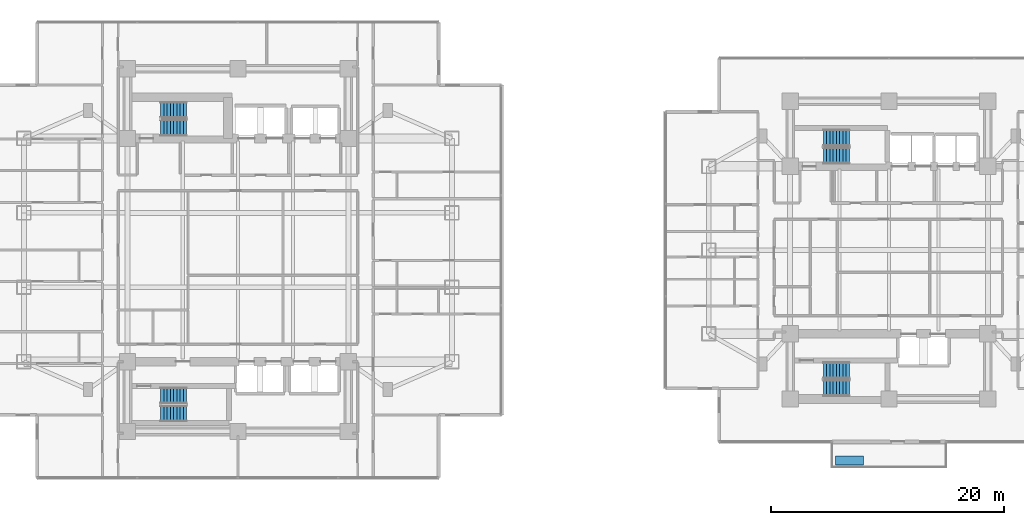
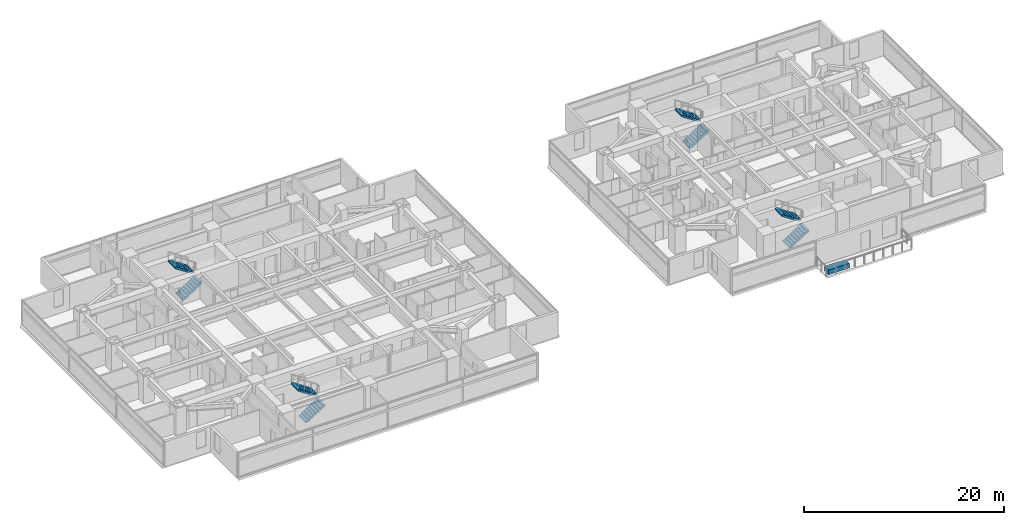
# One storey, part 21 of 27: 8 stair flights, 1 discrete accessory, 4 elements without a shape of their own.
"""IFC4 building model written with IfcOpenShell, lengths in metres."""

from ifc_helpers import new_model, si_unit, direction, frame, origin, origin_2d, place, context, subcontext, project, spatial, polyline, rectangle, outline, extrude, material, type_object, element, aggregate, save


model = new_model("IFC4")

# Units and contexts
model_context = context("Model", 3, precision=1e-05, world=origin(), true_north=direction((0.0, 1.0)))
body_context = subcontext(model_context, "Body", "Model", "MODEL_VIEW")
ifc_project = project(units=[si_unit("LENGTHUNIT", "METRE"), si_unit("AREAUNIT", "SQUARE_METRE"), si_unit("VOLUMEUNIT", "CUBIC_METRE"), si_unit("PLANEANGLEUNIT", "RADIAN"), si_unit("MASSUNIT", "GRAM", prefix="KILO")], contexts=[model_context])

# Site, building, storey
site_placement = place(None, origin())
site = spatial("IfcSite", under=ifc_project, at=site_placement, CompositionType="ELEMENT")
building_placement = place(site_placement, origin())
building = spatial("IfcBuilding", under=site, at=building_placement, Name="Mirazonda Arch Towers", CompositionType="ELEMENT")
storey_placement = place(building_placement, frame((0.0, 0.0, 42.199951171875)))
storey = spatial("IfcBuildingStorey", under=building, at=storey_placement, Name="L11", CompositionType="ELEMENT", Elevation=42.199951171875)

# Stair, stair flights
ifc_material_1 = material(Name="Concrete C40/50", Category="concrete")
stair_type = type_object("IfcStairType", Name="STAIR-CORE-1400", PredefinedType="HALF_TURN_STAIR", material=ifc_material_1)
stair_1_placement = place(storey_placement, origin())
stair_1 = element("IfcStair", 1, at=stair_1_placement, inside=storey, type_object=stair_type, Name="L11 Protected Exit Stair ST-T1N", PredefinedType="HALF_TURN_STAIR")
stair_flight_type = type_object("IfcStairFlightType", Name="FLIGHT-1400", PredefinedType="STRAIGHT", material=ifc_material_1)
stair_flight_1_placement = place(storey_placement, frame((13.85009765625, 38.52001953125, 0.0), z_axis=(0.0, 0.0, 1.0), x_axis=(1.0, 0.0, 0.0)))
stair_flight_1 = element("IfcStairFlight", 2, at=stair_flight_1_placement, type_object=stair_flight_type, Name="ST-T1N flight 1", NumberOfRisers=9, NumberOfTreads=8, PredefinedType="STRAIGHT", RiserHeight=0.183333333, TreadLength=0.28, context=body_context, shape_type="SweptSolid", body=[
    extrude(outline(polyline([(0.0, 0.0), (0.0, 0.183349609375), (0.280029296875, 0.183349609375), (0.280029296875, 0.36669921875), (0.56005859375, 0.36669921875), (0.56005859375, 0.550048828125), (0.840087890625, 0.550048828125), (0.840087890625, 0.7333984375), (1.1201171875, 0.7333984375), (1.1201171875, 0.916748046875), (1.39990234375, 0.916748046875), (1.39990234375, 1.10009765625), (1.679931640625, 1.10009765625), (1.679931640625, 1.283447265625), (1.9599609375, 1.283447265625), (1.9599609375, 1.466552734375), (2.239990234375, 1.466552734375), (2.239990234375, 1.64990234375), (2.239990234375, 1.275634765625), (0.2919921875, 0.0), (0.0, 0.0)])), frame((0.0, 0.699951171875, 0.0), z_axis=(0.0, -1.0, 0.0), x_axis=(1.0, 0.0, 0.0)), (0.0, 0.0, 1.0), 1.39990234375),
])
stair_flight_2_placement = place(storey_placement, frame((16.090087890625, 40.06005859375, 1.650146484375), z_axis=(0.0, 0.0, 1.0), x_axis=(-1.0, 0.0, 0.0)))
stair_flight_2 = element("IfcStairFlight", 3, at=stair_flight_2_placement, type_object=stair_flight_type, Name="ST-T1N flight 2", NumberOfRisers=9, NumberOfTreads=8, PredefinedType="STRAIGHT", RiserHeight=0.183333333, TreadLength=0.28, context=body_context, shape_type="SweptSolid", body=[
    extrude(outline(polyline([(0.0, 0.0), (0.0, 0.183349609375), (0.280029296875, 0.183349609375), (0.280029296875, 0.36669921875), (0.56005859375, 0.36669921875), (0.56005859375, 0.550048828125), (0.840087890625, 0.550048828125), (0.840087890625, 0.7333984375), (1.1201171875, 0.7333984375), (1.1201171875, 0.916748046875), (1.39990234375, 0.916748046875), (1.39990234375, 1.10009765625), (1.679931640625, 1.10009765625), (1.679931640625, 1.283447265625), (1.9599609375, 1.283447265625), (1.9599609375, 1.466552734375), (2.239990234375, 1.466552734375), (2.239990234375, 1.64990234375), (2.239990234375, 1.275634765625), (0.2919921875, 0.0), (0.0, 0.0)])), frame((0.0, 0.699951171875, 0.0), z_axis=(0.0, -1.0, 0.0), x_axis=(1.0, 0.0, 0.0)), (0.0, 0.0, 1.0), 1.39990234375),
])
aggregate(stair_1, [stair_flight_1, stair_flight_2])

stair_2_placement = place(storey_placement, origin())
stair_2 = element("IfcStair", 4, at=stair_2_placement, inside=storey, type_object=stair_type, Name="L11 Protected Exit Stair ST-T1S", PredefinedType="HALF_TURN_STAIR")
stair_flight_3_placement = place(storey_placement, frame((13.85009765625, 13.949951171875, 0.0), z_axis=(0.0, 0.0, 1.0), x_axis=(1.0, 0.0, 0.0)))
stair_flight_3 = element("IfcStairFlight", 5, at=stair_flight_3_placement, type_object=stair_flight_type, Name="ST-T1S flight 1", NumberOfRisers=9, NumberOfTreads=8, PredefinedType="STRAIGHT", RiserHeight=0.183333333, TreadLength=0.28, context=body_context, shape_type="SweptSolid", body=[
    extrude(outline(polyline([(0.0, 0.0), (0.0, 0.183349609375), (0.280029296875, 0.183349609375), (0.280029296875, 0.36669921875), (0.56005859375, 0.36669921875), (0.56005859375, 0.550048828125), (0.840087890625, 0.550048828125), (0.840087890625, 0.7333984375), (1.1201171875, 0.7333984375), (1.1201171875, 0.916748046875), (1.39990234375, 0.916748046875), (1.39990234375, 1.10009765625), (1.679931640625, 1.10009765625), (1.679931640625, 1.283447265625), (1.9599609375, 1.283447265625), (1.9599609375, 1.466552734375), (2.239990234375, 1.466552734375), (2.239990234375, 1.64990234375), (2.239990234375, 1.275634765625), (0.2919921875, 0.0), (0.0, 0.0)])), frame((0.0, 0.699951171875, 0.0), z_axis=(0.0, -1.0, 0.0), x_axis=(1.0, 0.0, 0.0)), (0.0, 0.0, 1.0), 1.39990234375),
])
stair_flight_4_placement = place(storey_placement, frame((16.090087890625, 15.489990234375, 1.650146484375), z_axis=(0.0, 0.0, 1.0), x_axis=(-1.0, 0.0, 0.0)))
stair_flight_4 = element("IfcStairFlight", 6, at=stair_flight_4_placement, type_object=stair_flight_type, Name="ST-T1S flight 2", NumberOfRisers=9, NumberOfTreads=8, PredefinedType="STRAIGHT", RiserHeight=0.183333333, TreadLength=0.28, context=body_context, shape_type="SweptSolid", body=[
    extrude(outline(polyline([(0.0, 0.0), (0.0, 0.183349609375), (0.280029296875, 0.183349609375), (0.280029296875, 0.36669921875), (0.56005859375, 0.36669921875), (0.56005859375, 0.550048828125), (0.840087890625, 0.550048828125), (0.840087890625, 0.7333984375), (1.1201171875, 0.7333984375), (1.1201171875, 0.916748046875), (1.39990234375, 0.916748046875), (1.39990234375, 1.10009765625), (1.679931640625, 1.10009765625), (1.679931640625, 1.283447265625), (1.9599609375, 1.283447265625), (1.9599609375, 1.466552734375), (2.239990234375, 1.466552734375), (2.239990234375, 1.64990234375), (2.239990234375, 1.275634765625), (0.2919921875, 0.0), (0.0, 0.0)])), frame((0.0, 0.699951171875, 0.0), z_axis=(0.0, -1.0, 0.0), x_axis=(1.0, 0.0, 0.0)), (0.0, 0.0, 1.0), 1.39990234375),
])
aggregate(stair_2, [stair_flight_3, stair_flight_4])

stair_3_placement = place(storey_placement, origin())
stair_3 = element("IfcStair", 7, at=stair_3_placement, inside=storey, type_object=stair_type, Name="L11 Protected Exit Stair ST-T2N", PredefinedType="HALF_TURN_STAIR")
stair_flight_5_placement = place(storey_placement, frame((70.85009765625, 36.1201171875, 0.0), z_axis=(0.0, 0.0, 1.0), x_axis=(1.0, 0.0, 0.0)))
stair_flight_5 = element("IfcStairFlight", 8, at=stair_flight_5_placement, type_object=stair_flight_type, Name="ST-T2N flight 1", NumberOfRisers=9, NumberOfTreads=8, PredefinedType="STRAIGHT", RiserHeight=0.183333333, TreadLength=0.28, context=body_context, shape_type="SweptSolid", body=[
    extrude(outline(polyline([(0.0, 0.0), (0.0, 0.183349609375), (0.280029296875, 0.183349609375), (0.280029296875, 0.36669921875), (0.56005859375, 0.36669921875), (0.56005859375, 0.550048828125), (0.840087890625, 0.550048828125), (0.840087890625, 0.7333984375), (1.1201171875, 0.7333984375), (1.1201171875, 0.916748046875), (1.39990234375, 0.916748046875), (1.39990234375, 1.10009765625), (1.679931640625, 1.10009765625), (1.679931640625, 1.283447265625), (1.9599609375, 1.283447265625), (1.9599609375, 1.466552734375), (2.239990234375, 1.466552734375), (2.239990234375, 1.64990234375), (2.239990234375, 1.275634765625), (0.2919921875, 0.0), (0.0, 0.0)])), frame((0.0, 0.699951171875, 0.0), z_axis=(0.0, -1.0, 0.0), x_axis=(1.0, 0.0, 0.0)), (0.0, 0.0, 1.0), 1.39990234375),
])
stair_flight_6_placement = place(storey_placement, frame((73.090087890625, 37.659912109375, 1.650146484375), z_axis=(0.0, 0.0, 1.0), x_axis=(-1.0, 0.0, 0.0)))
stair_flight_6 = element("IfcStairFlight", 9, at=stair_flight_6_placement, type_object=stair_flight_type, Name="ST-T2N flight 2", NumberOfRisers=9, NumberOfTreads=8, PredefinedType="STRAIGHT", RiserHeight=0.183333333, TreadLength=0.28, context=body_context, shape_type="SweptSolid", body=[
    extrude(outline(polyline([(0.0, 0.0), (0.0, 0.183349609375), (0.280029296875, 0.183349609375), (0.280029296875, 0.36669921875), (0.56005859375, 0.36669921875), (0.56005859375, 0.550048828125), (0.840087890625, 0.550048828125), (0.840087890625, 0.7333984375), (1.1201171875, 0.7333984375), (1.1201171875, 0.916748046875), (1.39990234375, 0.916748046875), (1.39990234375, 1.10009765625), (1.679931640625, 1.10009765625), (1.679931640625, 1.283447265625), (1.9599609375, 1.283447265625), (1.9599609375, 1.466552734375), (2.239990234375, 1.466552734375), (2.239990234375, 1.64990234375), (2.239990234375, 1.275634765625), (0.2919921875, 0.0), (0.0, 0.0)])), frame((0.0, 0.699951171875, 0.0), z_axis=(0.0, -1.0, 0.0), x_axis=(1.0, 0.0, 0.0)), (0.0, 0.0, 1.0), 1.39990234375),
])
aggregate(stair_3, [stair_flight_5, stair_flight_6])

stair_4_placement = place(storey_placement, origin())
stair_4 = element("IfcStair", 10, at=stair_4_placement, inside=storey, type_object=stair_type, Name="L11 Protected Exit Stair ST-T2S", PredefinedType="HALF_TURN_STAIR")
stair_flight_7_placement = place(storey_placement, frame((70.85009765625, 16.1201171875, 0.0), z_axis=(0.0, 0.0, 1.0), x_axis=(1.0, 0.0, 0.0)))
stair_flight_7 = element("IfcStairFlight", 11, at=stair_flight_7_placement, type_object=stair_flight_type, Name="ST-T2S flight 1", NumberOfRisers=9, NumberOfTreads=8, PredefinedType="STRAIGHT", RiserHeight=0.183333333, TreadLength=0.28, context=body_context, shape_type="SweptSolid", body=[
    extrude(outline(polyline([(0.0, 0.0), (0.0, 0.183349609375), (0.280029296875, 0.183349609375), (0.280029296875, 0.36669921875), (0.56005859375, 0.36669921875), (0.56005859375, 0.550048828125), (0.840087890625, 0.550048828125), (0.840087890625, 0.7333984375), (1.1201171875, 0.7333984375), (1.1201171875, 0.916748046875), (1.39990234375, 0.916748046875), (1.39990234375, 1.10009765625), (1.679931640625, 1.10009765625), (1.679931640625, 1.283447265625), (1.9599609375, 1.283447265625), (1.9599609375, 1.466552734375), (2.239990234375, 1.466552734375), (2.239990234375, 1.64990234375), (2.239990234375, 1.275634765625), (0.2919921875, 0.0), (0.0, 0.0)])), frame((0.0, 0.699951171875, 0.0), z_axis=(0.0, -1.0, 0.0), x_axis=(1.0, 0.0, 0.0)), (0.0, 0.0, 1.0), 1.39990234375),
])
stair_flight_8_placement = place(storey_placement, frame((73.090087890625, 17.659912109375, 1.650146484375), z_axis=(0.0, 0.0, 1.0), x_axis=(-1.0, 0.0, 0.0)))
stair_flight_8 = element("IfcStairFlight", 12, at=stair_flight_8_placement, type_object=stair_flight_type, Name="ST-T2S flight 2", NumberOfRisers=9, NumberOfTreads=8, PredefinedType="STRAIGHT", RiserHeight=0.183333333, TreadLength=0.28, context=body_context, shape_type="SweptSolid", body=[
    extrude(outline(polyline([(0.0, 0.0), (0.0, 0.183349609375), (0.280029296875, 0.183349609375), (0.280029296875, 0.36669921875), (0.56005859375, 0.36669921875), (0.56005859375, 0.550048828125), (0.840087890625, 0.550048828125), (0.840087890625, 0.7333984375), (1.1201171875, 0.7333984375), (1.1201171875, 0.916748046875), (1.39990234375, 0.916748046875), (1.39990234375, 1.10009765625), (1.679931640625, 1.10009765625), (1.679931640625, 1.283447265625), (1.9599609375, 1.283447265625), (1.9599609375, 1.466552734375), (2.239990234375, 1.466552734375), (2.239990234375, 1.64990234375), (2.239990234375, 1.275634765625), (0.2919921875, 0.0), (0.0, 0.0)])), frame((0.0, 0.699951171875, 0.0), z_axis=(0.0, -1.0, 0.0), x_axis=(1.0, 0.0, 0.0)), (0.0, 0.0, 1.0), 1.39990234375),
])
aggregate(stair_4, [stair_flight_7, stair_flight_8])

# Discrete accessory
ifc_material_2 = material(Name="Kiln-Fired Architectural Terracotta", Category="masonry")
discrete_accessory_type = type_object("IfcDiscreteAccessoryType", Name="PLANTER-TERRA", PredefinedType="USERDEFINED", material=ifc_material_2)
discrete_accessory_placement = place(storey_placement, frame((73.10009765625, 9.900146484375, 0.0), z_axis=(0.0, 0.0, 1.0), x_axis=(1.0, 0.0, 0.0)))
element("IfcDiscreteAccessory", 13, at=discrete_accessory_placement, inside=storey, type_object=discrete_accessory_type, Name="L11 T2 Sky-Terrace Planter", ObjectType="PLANTER", PredefinedType="USERDEFINED", context=body_context, shape_type="SweptSolid", body=[
    extrude(rectangle(XDim=2.39990234375, YDim=0.800048828125, at=origin_2d()), origin(), (0.0, 0.0, 1.0), 0.550048828125),
])

save(model, "model.ifc")
